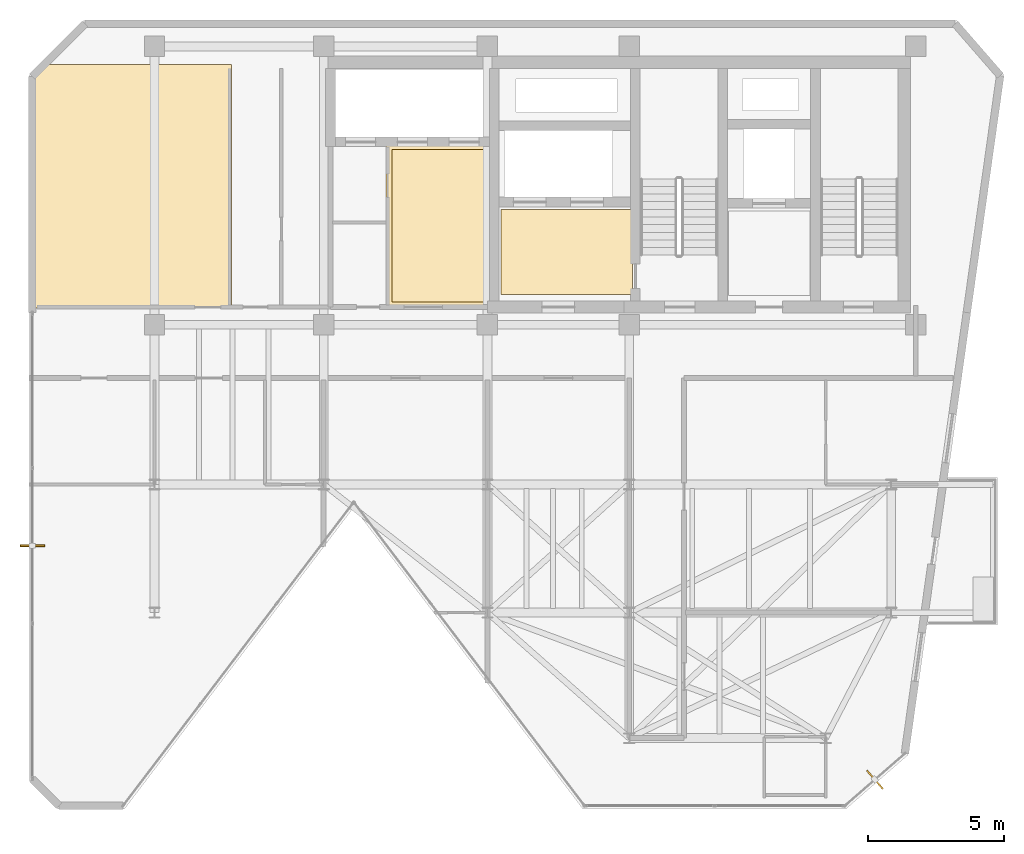
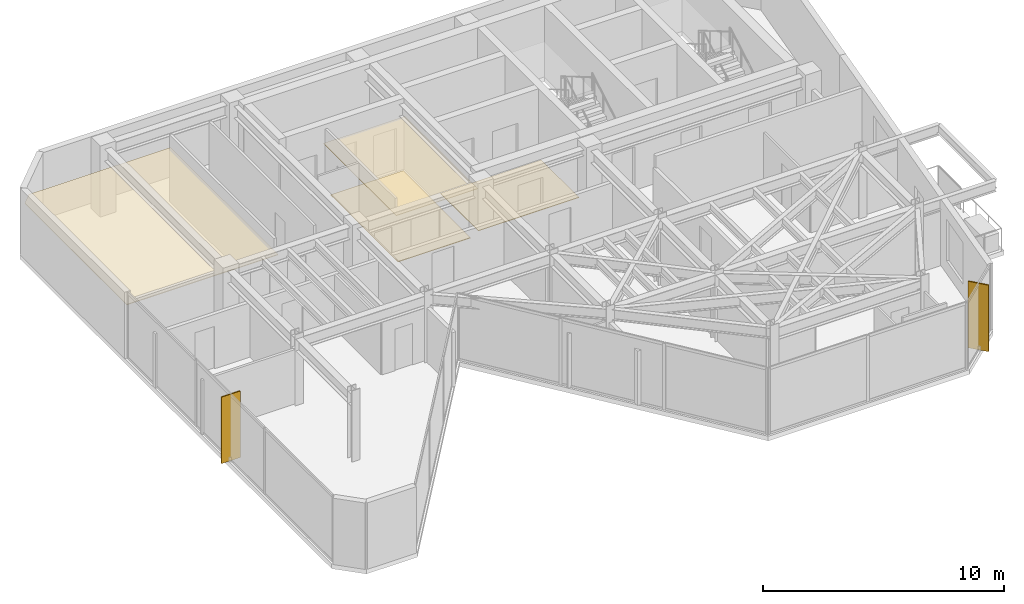
# One storey, part 15 of 16: 4 coverings, 2 shading devices.
"""IFC4 building model written with IfcOpenShell, lengths in metres."""

from ifc_helpers import new_model, si_unit, direction, frame, origin, origin_2d, place, context, subcontext, project, spatial, polyline, rectangle, outline, extrude, material, layer, layer_set, type_object, element, save


model = new_model("IFC4")

# Units and contexts
model_context = context("Model", 3, precision=1e-05, world=origin(), true_north=direction((0.0, 1.0)))
body_context = subcontext(model_context, "Body", "Model", "MODEL_VIEW")
ifc_project = project(units=[si_unit("LENGTHUNIT", "METRE"), si_unit("AREAUNIT", "SQUARE_METRE"), si_unit("VOLUMEUNIT", "CUBIC_METRE"), si_unit("PLANEANGLEUNIT", "RADIAN"), si_unit("MASSUNIT", "GRAM", prefix="KILO")], contexts=[model_context])

# Site, building, storey
site_placement = place(None, origin())
site = spatial("IfcSite", under=ifc_project, at=site_placement, CompositionType="ELEMENT")
building_placement = place(site_placement, origin())
building = spatial("IfcBuilding", under=site, at=building_placement, Name="Kravanh Interchange Tower", CompositionType="ELEMENT")
storey_placement = place(building_placement, frame((0.0, 0.0, 303.89990234375)))
storey = spatial("IfcBuildingStorey", under=building, at=storey_placement, Name="L75", CompositionType="ELEMENT", Elevation=303.89990234375)

# Coverings
ifc_material_1 = material(Name="Cementitious Terrazzo Tile")
ifc_layer_1 = layer(ifc_material_1, 0.030029296875)
ifc_layer_set_1 = layer_set([ifc_layer_1], Name="Honed Terrazzo Lobby Flooring 30mm")
covering_type_1 = type_object("IfcCoveringType", Name="Honed Terrazzo Lobby Flooring 30mm", PredefinedType="FLOORING", material=ifc_layer_set_1)
covering_1_placement = place(storey_placement, origin())
element("IfcCovering", 1, at=covering_1_placement, inside=storey, type_object=covering_type_1, Name="L75 Firefighting Lobby Floor Finish", PredefinedType="FLOORING", context=body_context, shape_type="SweptSolid", body=[
    extrude(outline(polyline([(56.1201171875, 38.4599609375), (51.300048828125, 38.4599609375), (51.300048828125, 41.580078125), (56.1201171875, 41.580078125), (56.1201171875, 38.4599609375)])), origin(), (0.0, 0.0, 1.0), 0.030029296875),
])
covering_2_placement = place(storey_placement, origin())
element("IfcCovering", 2, at=covering_2_placement, inside=storey, type_object=covering_type_1, Name="L75 High-Rise Lift Lobby Floor Finish", PredefinedType="FLOORING", context=body_context, shape_type="SweptSolid", body=[
    extrude(outline(polyline([(47.300048828125, 43.77001953125), (50.77001953125, 43.77001953125), (50.77001953125, 38.179931640625), (47.300048828125, 38.179931640625), (47.300048828125, 43.77001953125)])), origin(), (0.0, 0.0, 1.0), 0.030029296875),
])
ifc_material_2 = material(Name="Anodised Bronze Aluminium Acoustic Baffle", Category="aluminium")
ifc_layer_2 = layer(ifc_material_2, 0.034912109375)
ifc_layer_set_2 = layer_set([ifc_layer_2], Name="Linear Bronze Baffle Feature Ceiling 35mm")
covering_type_2 = type_object("IfcCoveringType", Name="Linear Bronze Baffle Feature Ceiling 35mm", PredefinedType="CEILING", material=ifc_layer_set_2)
covering_3_placement = place(storey_placement, frame((0.0, 0.0, 2.550048828125)))
element("IfcCovering", 3, at=covering_3_placement, inside=storey, type_object=covering_type_2, Name="L75 North Library Reading Lounge Suspended Ceiling", PredefinedType="CEILING", context=body_context, shape_type="SweptSolid", body=[
    extrude(outline(polyline([(41.429931640625, 37.9599609375), (34.179931640625, 37.9599609375), (34.179931640625, 46.42529296875), (34.64453125, 46.889892578125), (41.429931640625, 46.889892578125), (41.429931640625, 37.9599609375)])), origin(), (0.0, 0.0, 1.0), 0.03515625),
])
ifc_material_3 = material(Name="Acoustic Mineral Fibre Tile on Aluminium Grid", Category="aluminium")
ifc_layer_3 = layer(ifc_material_3, 0.02490234375)
ifc_layer_set_3 = layer_set([ifc_layer_3], Name="Perforated Acoustic Mineral Ceiling 25mm")
covering_type_3 = type_object("IfcCoveringType", Name="Perforated Acoustic Mineral Ceiling 25mm", PredefinedType="CEILING", material=ifc_layer_set_3)
covering_4_placement = place(storey_placement, frame((0.0, 0.0, 2.550048828125)))
element("IfcCovering", 4, at=covering_4_placement, inside=storey, type_object=covering_type_3, Name="L75 High-Rise Lift Lobby Suspended Ceiling", PredefinedType="CEILING", context=body_context, shape_type="SweptSolid", body=[
    extrude(outline(polyline([(50.989990234375, 37.9599609375), (47.080078125, 37.9599609375), (47.080078125, 43.989990234375), (50.989990234375, 43.989990234375), (50.989990234375, 37.9599609375)])), origin(), (0.0, 0.0, 1.0), 0.025146484375),
])

# Shading devices
ifc_material_4 = material(Name="Anodised Champagne Bronze Aluminium", Category="aluminium")
ifc_layer_4 = layer(ifc_material_4, 0.06005859375)
ifc_layer_set_4 = layer_set([ifc_layer_4], Name="Vertical Bronze Solar Fin 900mm")
shading_device_type = type_object("IfcShadingDeviceType", Name="Vertical Bronze Solar Fin 900mm", PredefinedType="USERDEFINED", material=ifc_layer_set_4)
for number, where, z_axis, x_axis, name in (
    (5, (34.1201171875, 29.25, 0.0), (0.0, 0.0, 1.0), (-1.0, 0.0, 0.0), "L75 BRONZE SOLAR FIN 1"),
    (6, (64.998779296875, 20.680908203125, 0.0), (0.0, 0.0, 1.0), (0.656059788471, -0.754708920016, 0.0), "L75 BRONZE SOLAR FIN 2"),
):
    element("IfcShadingDevice", number, at=place(storey_placement, frame(where, z_axis=z_axis, x_axis=x_axis)), inside=storey, type_object=shading_device_type, Name=name, ObjectType="FIN", PredefinedType="USERDEFINED", context=body_context, shape_type="SweptSolid", body=[
        extrude(rectangle(XDim=0.89990234375, YDim=0.06005859375, at=origin_2d()), origin(), (0.0, 0.0, 1.0), 3.364990234375),
    ])

save(model, "model.ifc")
